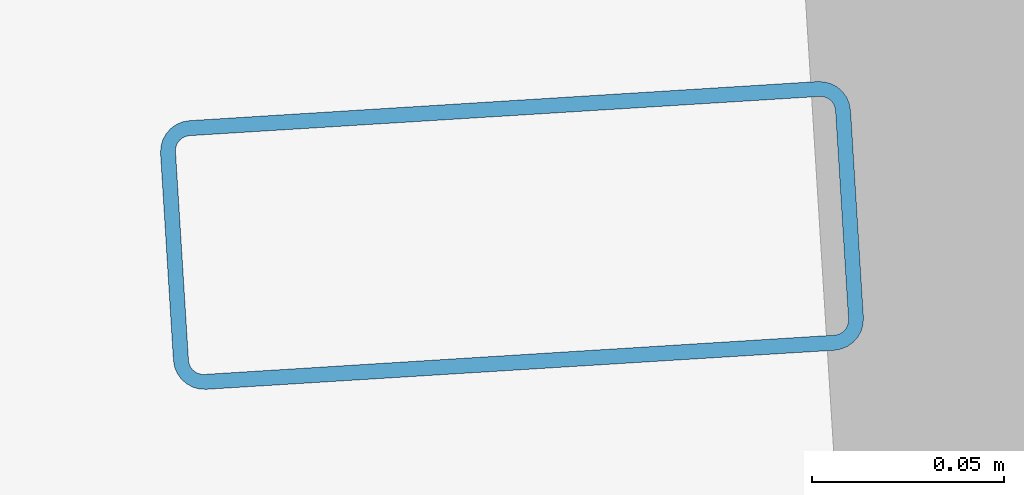
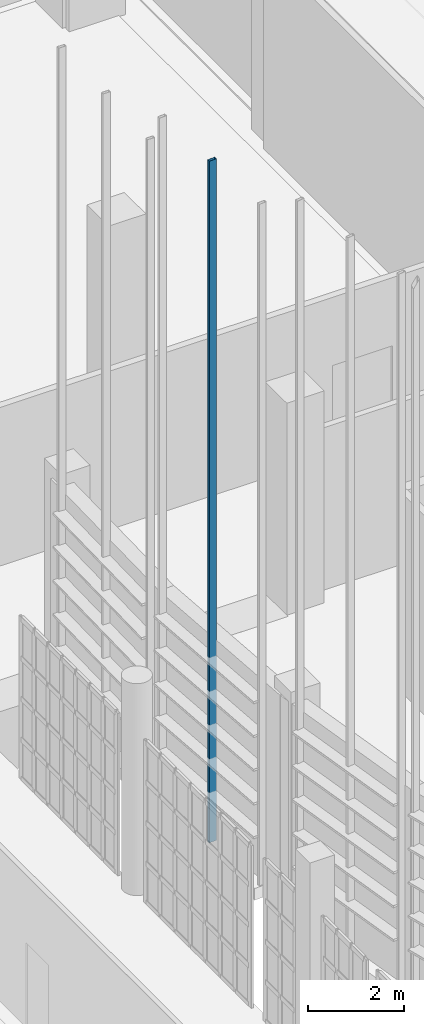
# One storey, part 191 of 372: 1 member.
"""IFC4 building model written with IfcOpenShell, lengths in metres."""

from ifc_helpers import new_model, si_unit, direction, frame, origin, origin_2d, place, context, subcontext, project, spatial, hollow_rectangle, extrude, material, material_profile, profile_set, type_object, element, save


model = new_model("IFC4")

# Units and contexts
model_context = context("Model", 3, precision=1e-05, world=origin(), true_north=direction((0.0, 1.0)))
body_context = subcontext(model_context, "Body", "Model", "MODEL_VIEW")
ifc_project = project(units=[si_unit("LENGTHUNIT", "METRE"), si_unit("AREAUNIT", "SQUARE_METRE"), si_unit("VOLUMEUNIT", "CUBIC_METRE"), si_unit("PLANEANGLEUNIT", "RADIAN"), si_unit("MASSUNIT", "GRAM", prefix="KILO")], contexts=[model_context])

# Site, building, storey
site_placement = place(None, origin())
site = spatial("IfcSite", under=ifc_project, at=site_placement, CompositionType="ELEMENT")
building_placement = place(site_placement, origin())
building = spatial("IfcBuilding", under=site, at=building_placement, Name="Kaelora Sail Theatre", CompositionType="ELEMENT")
storey_placement = place(building_placement, origin())
storey = spatial("IfcBuildingStorey", under=building, at=storey_placement, Name="L00", CompositionType="ELEMENT", Elevation=0.0)

# Member
ifc_material = material(Name="Anodised aluminium 6063-T6", Category="aluminium")
ifc_material_profile = material_profile(ifc_material, hollow_rectangle(XDim=0.070068359375, YDim=0.179931640625, WallThickness=0.00390625, InnerFilletRadius=0.00390625, OuterFilletRadius=0.008056640625, at=origin_2d()), Name="ALU-MULL 70x180x4")
ifc_profile_set = profile_set([ifc_material_profile], Name="Anodised aluminium 6063-T6")
member_type = type_object("IfcMemberType", Name="ARC-MEM-PST-160", PredefinedType="POST", material=ifc_profile_set)
member_placement = place(storey_placement, frame((76.593994140625, 54.2431640625, 0.0), z_axis=(0.0, 0.0, 1.0), x_axis=(-0.062093750187, 0.998070321264, 0.0)))
element("IfcMember", 1, at=member_placement, inside=storey, type_object=member_type, Name="Studio Theatre Sail Drum solar louvre vertical support post C19-2", PredefinedType="POST", context=body_context, shape_type="SweptSolid", body=[
    extrude(hollow_rectangle(XDim=0.070068359375, YDim=0.179931640625, WallThickness=0.00390625, InnerFilletRadius=0.00390625, OuterFilletRadius=0.008056640625, at=origin_2d()), origin(), (0.0, 0.0, 1.0), 17.365966796875),
])

save(model, "model.ifc")
